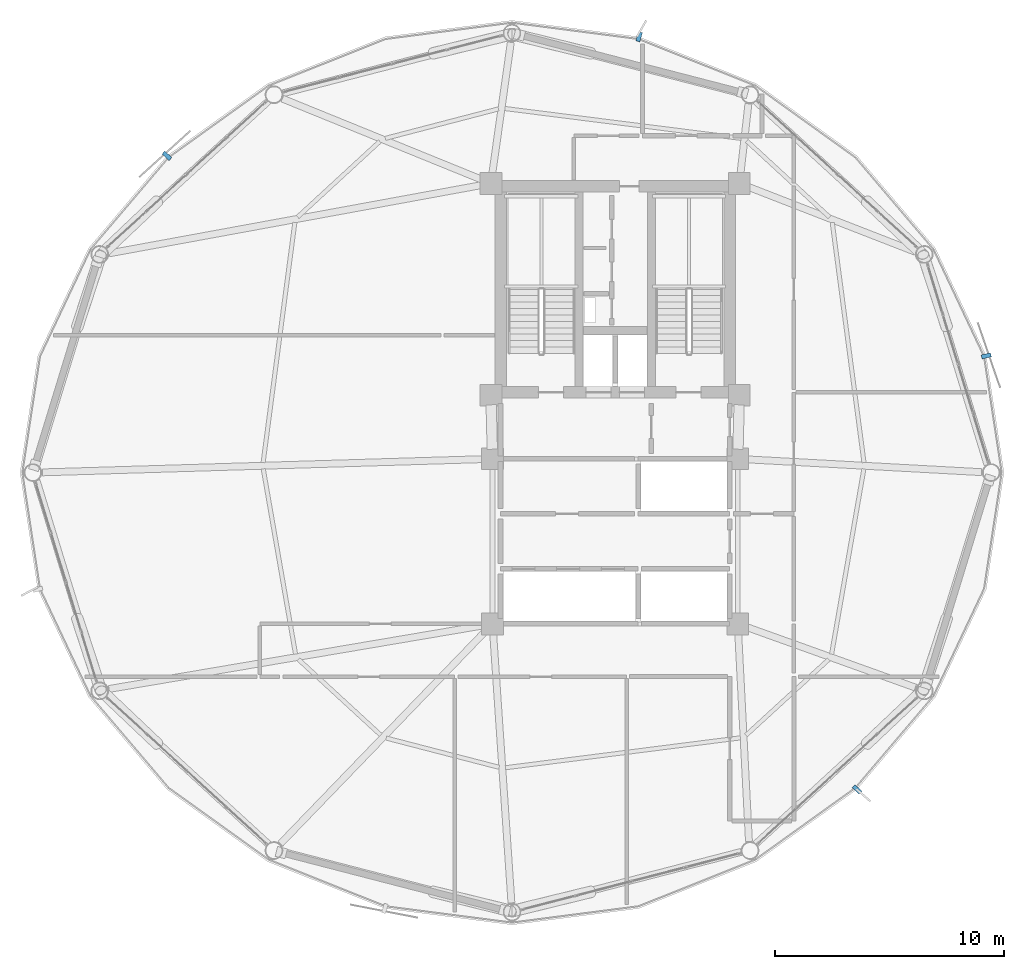
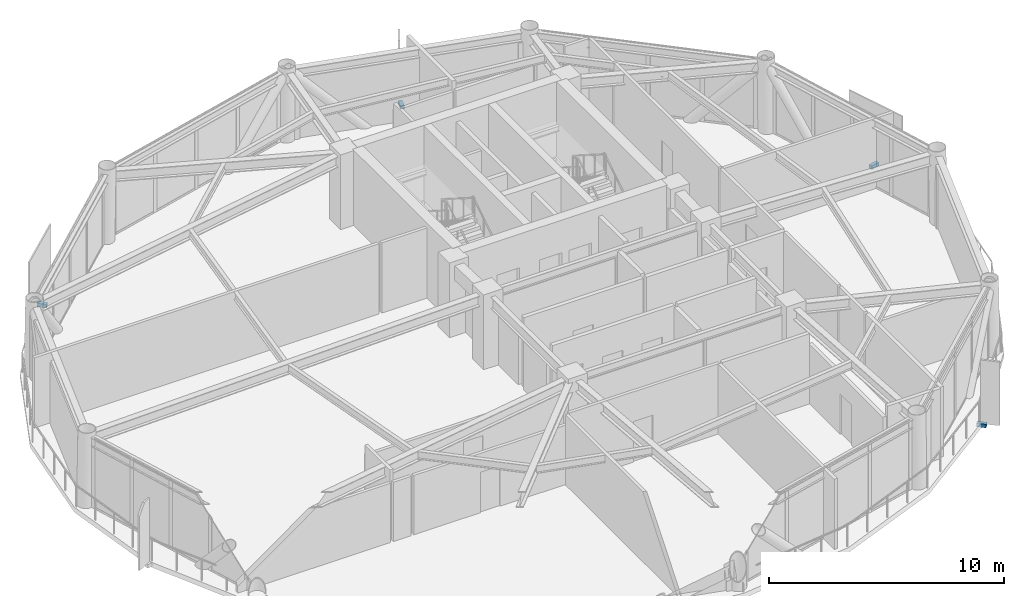
# One storey, part 24 of 27: 4 discrete accessories.
"""IFC4 building model written with IfcOpenShell, lengths in metres."""

from ifc_helpers import new_model, si_unit, direction, frame, origin, origin_2d, place, context, subcontext, project, spatial, rectangle, extrude, source, transform, mapped, material, type_object, type_shapes, element, save


model = new_model("IFC4")

# Units and contexts
model_context = context("Model", 3, precision=1e-05, world=origin(), true_north=direction((0.0, 1.0)))
body_context = subcontext(model_context, "Body", "Model", "MODEL_VIEW")
ifc_project = project(units=[si_unit("LENGTHUNIT", "METRE"), si_unit("AREAUNIT", "SQUARE_METRE"), si_unit("VOLUMEUNIT", "CUBIC_METRE"), si_unit("PLANEANGLEUNIT", "RADIAN"), si_unit("MASSUNIT", "GRAM", prefix="KILO")], contexts=[model_context])

# Site, building, storey
site_placement = place(None, origin())
site = spatial("IfcSite", under=ifc_project, at=site_placement, CompositionType="ELEMENT")
building_placement = place(site_placement, origin())
building = spatial("IfcBuilding", under=site, at=building_placement, Name="Varnakorn Sky Granary", CompositionType="ELEMENT")
storey_placement = place(building_placement, frame((0.0, 0.0, 142.199951171875)))
storey = spatial("IfcBuildingStorey", under=building, at=storey_placement, Name="L35", CompositionType="ELEMENT", Elevation=142.199951171875)

# Discrete accessories
ifc_material = material(Name="Steel S355JR", Category="steel")
discrete_accessory_type = type_object("IfcDiscreteAccessoryType", Name="AC-BRK-01", PredefinedType="BRACKET", material=ifc_material)
shared_shape = source(origin(), body_context, "Body", "SweptSolid", [
    extrude(rectangle(XDim=0.179931640625, YDim=0.419921875, at=origin_2d()), origin(), (0.0, 0.0, 1.0), 0.179931640625),
])
type_shapes(discrete_accessory_type, [shared_shape])
for number, where, z_axis, x_axis, name in (
    (1, (19.192626953125, 5.09326171875, -0.19970703125), (0.0, 0.0, 1.0), (-0.239005219331, 0.971018282594, 0.0), "Facade Solar-Screen Outrigger Bracket L35-01"),
    (2, (4.047119140625, 19.016357421875, -0.19970703125), (0.0, 0.0, 1.0), (-0.959992490857, 0.280025744349, 0.0), "Facade Solar-Screen Outrigger Bracket L35-03"),
    (3, (-16.5556640625, 13.822509765625, -0.19970703125), (0.0, 0.0, 1.0), (-0.676290732053, -0.736634811653, 0.0), "Facade Solar-Screen Outrigger Bracket L35-05"),
    (4, (13.5556640625, -13.822509765625, -0.19970703125), (0.0, 0.0, 1.0), (0.676290732053, 0.736634811653, 0.0), "Facade Solar-Screen Outrigger Bracket L35-11"),
):
    element("IfcDiscreteAccessory", number, at=place(storey_placement, frame(where, z_axis=z_axis, x_axis=x_axis)), inside=storey, type_object=discrete_accessory_type, Name=name, PredefinedType="BRACKET", context=body_context, shape_type="MappedRepresentation", body=[
        mapped(shared_shape, transform((0.0, 0.0, 0.0), x_axis=(1.0, 0.0, 0.0), y_axis=(0.0, 1.0, 0.0), z_axis=(0.0, 0.0, 1.0), scale=1.0)),
    ])

save(model, "model.ifc")
